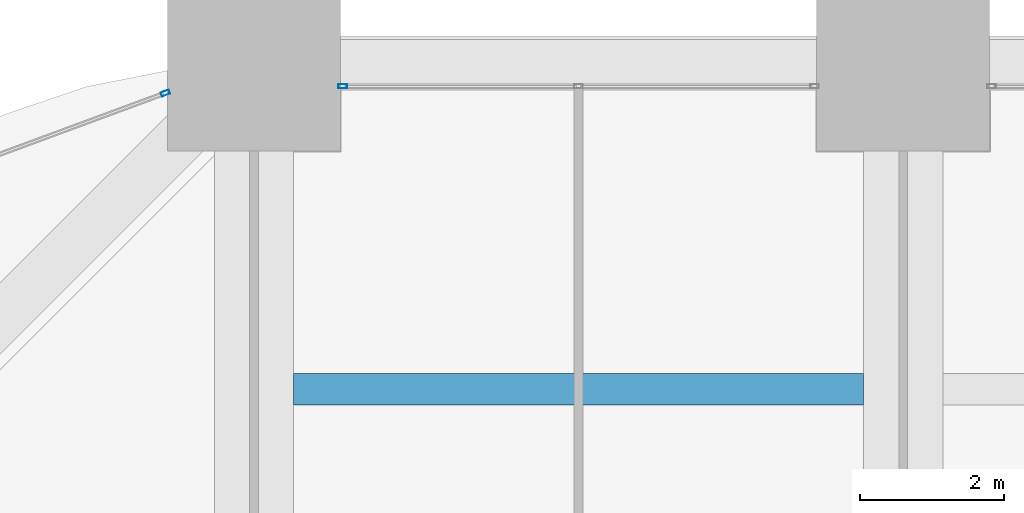
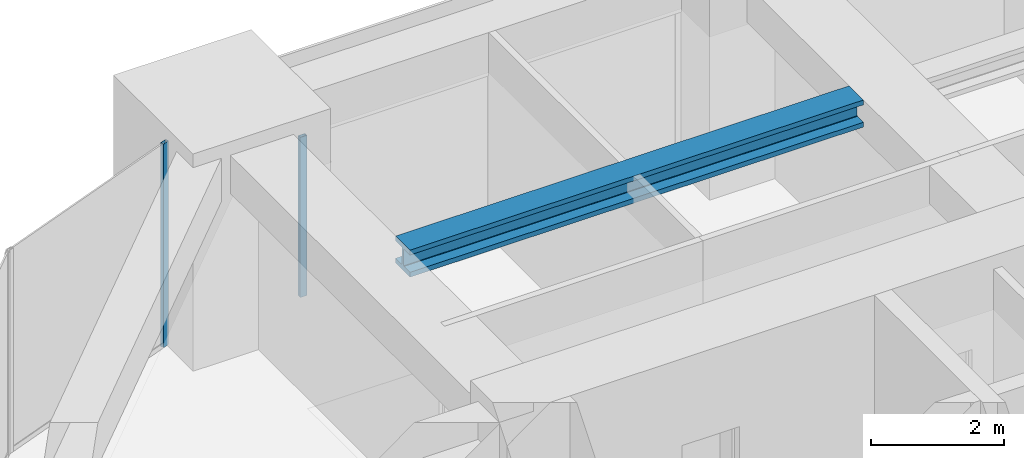
# One storey, part 31 of 45: 2 members, 1 beam, 2 elements without a shape of their own.
"""IFC4 building model written with IfcOpenShell, lengths in metres."""

from ifc_helpers import new_model, si_unit, direction, frame, origin, origin_2d, place, context, subcontext, project, spatial, hollow_rectangle, i_section, extrude, material, material_profile, profile_set, type_object, element, aggregate, save


model = new_model("IFC4")

# Units and contexts
model_context = context("Model", 3, precision=1e-05, world=origin(), true_north=direction((0.0, 1.0)))
body_context = subcontext(model_context, "Body", "Model", "MODEL_VIEW")
ifc_project = project(units=[si_unit("LENGTHUNIT", "METRE"), si_unit("AREAUNIT", "SQUARE_METRE"), si_unit("VOLUMEUNIT", "CUBIC_METRE"), si_unit("PLANEANGLEUNIT", "RADIAN"), si_unit("MASSUNIT", "GRAM", prefix="KILO")], contexts=[model_context])

# Site, building, storey
site_placement = place(None, origin())
site = spatial("IfcSite", under=ifc_project, at=site_placement, CompositionType="ELEMENT")
building_placement = place(site_placement, origin())
building = spatial("IfcBuilding", under=site, at=building_placement, Name="Zorevar Civic Tower", CompositionType="ELEMENT")
storey_placement = place(building_placement, frame((0.0, 0.0, 247.39990234375)))
storey = spatial("IfcBuildingStorey", under=building, at=storey_placement, Name="L60", CompositionType="ELEMENT", Elevation=247.39990234375)

# Curtain wall, member
ifc_material_1 = material(Name="Dark grey solar-control glass in black aluminium frame", Category="aluminium")
curtain_wall_type = type_object("IfcCurtainWallType", Name="Curtain wall CW5 top zone", PredefinedType="NOTDEFINED", material=ifc_material_1)
curtain_wall_1_placement = place(storey_placement, origin())
curtain_wall_1 = element("IfcCurtainWall", 1, at=curtain_wall_1_placement, inside=storey, type_object=curtain_wall_type, Name="CW5 L60", PredefinedType="NOTDEFINED")
ifc_material_2 = material(Name="Aluminium, black anodised", Category="aluminium")
ifc_material_profile_1 = material_profile(ifc_material_2, hollow_rectangle(XDim=0.06005859375, YDim=0.1201171875, WallThickness=0.0029296875, at=origin_2d()), Name="AL 120x60x3")
ifc_profile_set_1 = profile_set([ifc_material_profile_1], Name="Aluminium, black anodised")
member_type = type_object("IfcMemberType", Name="CW5 mullion AL 120x60x3", PredefinedType="MULLION", material=ifc_profile_set_1)
member_1_placement = place(storey_placement, frame((19.22998046875, 44.699951171875, 0.0), z_axis=(0.0, 0.0, 1.0), x_axis=(0.0, 1.0, 0.0)))
member_1 = element("IfcMember", 2, at=member_1_placement, type_object=member_type, Name="CW5 mullion 1", PredefinedType="MULLION", context=body_context, shape_type="SweptSolid", body=[
    extrude(hollow_rectangle(XDim=0.06005859375, YDim=0.1201171875, WallThickness=0.0029296875, at=origin_2d()), origin(), (0.0, 0.0, 1.0), 2.9501953125),
])
aggregate(curtain_wall_1, [member_1])

curtain_wall_2_placement = place(storey_placement, origin())
curtain_wall_2 = element("IfcCurtainWall", 3, at=curtain_wall_2_placement, inside=storey, type_object=curtain_wall_type, Name="CW5 L60", PredefinedType="NOTDEFINED")
member_2_placement = place(storey_placement, frame((16.77197265625, 44.6064453125, 0.0), z_axis=(0.0, 0.0, 1.0), x_axis=(0.346704012033, -0.937974588163, 0.0)))
member_2 = element("IfcMember", 4, at=member_2_placement, type_object=member_type, Name="CW5 mullion 1", PredefinedType="MULLION", context=body_context, shape_type="SweptSolid", body=[
    extrude(hollow_rectangle(XDim=0.06005859375, YDim=0.1201171875, WallThickness=0.0029296875, at=origin_2d()), origin(), (0.0, 0.0, 1.0), 3.75),
])
aggregate(curtain_wall_2, [member_2])

# Beam
ifc_material_3 = material(Name="Steel S460M (HISTAR 460)", Category="steel")
ifc_material_profile_2 = material_profile(ifc_material_3, i_section(OverallWidth=0.431884765625, OverallDepth=0.498046875, WebThickness=0.0556640625, FlangeThickness=0.0888671875, FilletRadius=0.014892578125, at=origin_2d()), Name="HD 400x744")
ifc_profile_set_2 = profile_set([ifc_material_profile_2], Name="Steel S460M (HISTAR 460)")
beam_type = type_object("IfcBeamType", Name="Core bay beam HD 400x744", PredefinedType="BEAM", material=ifc_profile_set_2)
beam_placement = place(storey_placement, frame((18.550048828125, 40.5, 3.5009765625), z_axis=(1.0, 0.0, 0.0), x_axis=(0.0, 1.0, 0.0)))
element("IfcBeam", 5, at=beam_placement, inside=storey, type_object=beam_type, Name="Secondary beam L61", PredefinedType="BEAM", context=body_context, shape_type="SweptSolid", body=[
    extrude(i_section(OverallWidth=0.431884765625, OverallDepth=0.498046875, WebThickness=0.0556640625, FlangeThickness=0.0888671875, FilletRadius=0.014892578125, at=origin_2d()), origin(), (0.0, 0.0, 1.0), 7.89990234375),
])

save(model, "model.ifc")
